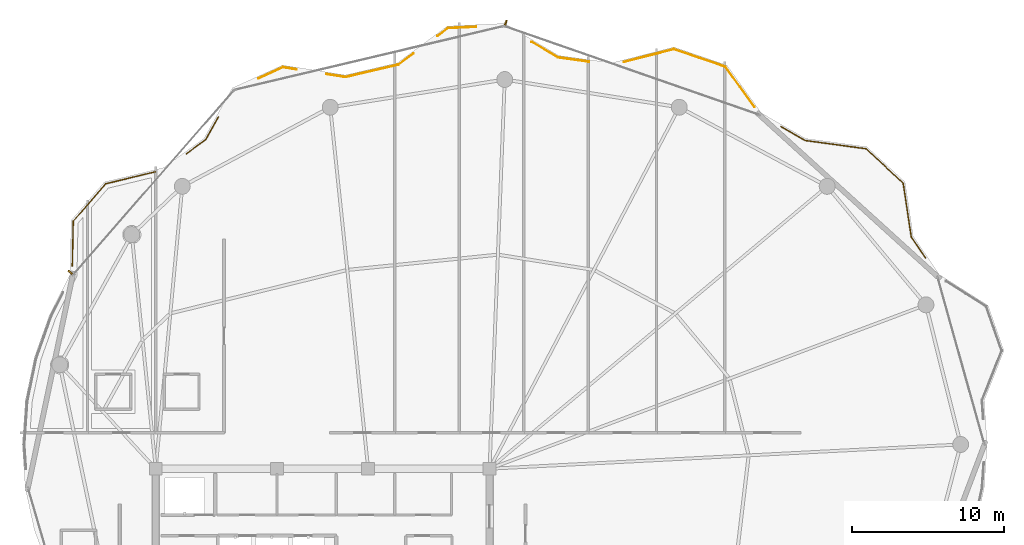
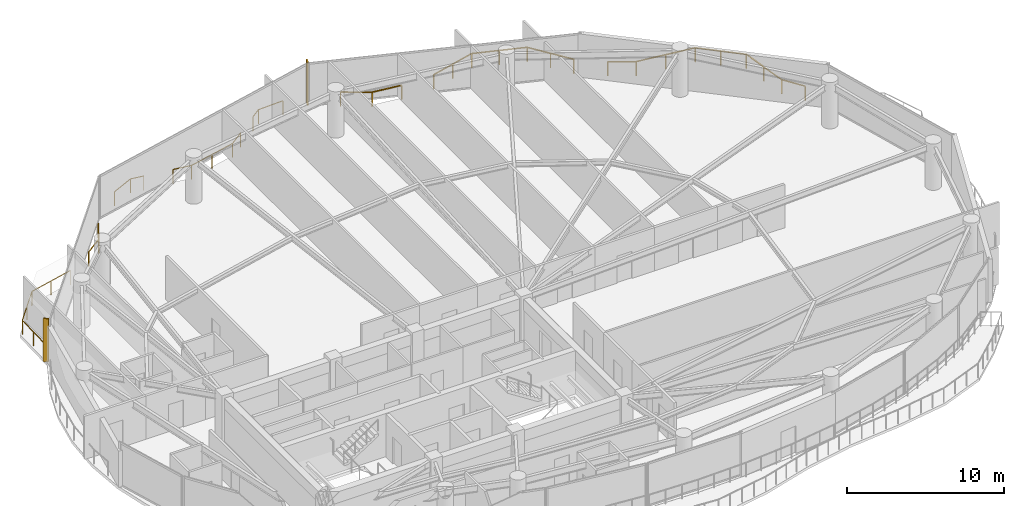
# One storey, part 29 of 29: 8 railings, 2 shading devices.
"""IFC4 building model written with IfcOpenShell, lengths in metres."""

from ifc_helpers import new_model, si_unit, direction, frame, origin, origin_2d, place, context, subcontext, project, spatial, rectangle, extrude, material, type_object, element, save


model = new_model("IFC4")

# Units and contexts
model_context = context("Model", 3, precision=1e-05, world=origin(), true_north=direction((0.0, 1.0)))
body_context = subcontext(model_context, "Body", "Model", "MODEL_VIEW")
ifc_project = project(units=[si_unit("LENGTHUNIT", "METRE"), si_unit("AREAUNIT", "SQUARE_METRE"), si_unit("VOLUMEUNIT", "CUBIC_METRE"), si_unit("PLANEANGLEUNIT", "RADIAN"), si_unit("MASSUNIT", "GRAM", prefix="KILO")], contexts=[model_context])

# Site, building, storey
site_placement = place(None, origin())
site = spatial("IfcSite", under=ifc_project, at=site_placement, CompositionType="ELEMENT")
building_placement = place(site_placement, origin())
building = spatial("IfcBuilding", under=site, at=building_placement, Name="Kazevale Care Tower and Concert Hall", CompositionType="ELEMENT")
storey_placement = place(building_placement, frame((0.0, 0.0, 224.39990234375)))
storey = spatial("IfcBuildingStorey", under=building, at=storey_placement, Name="L59", CompositionType="ELEMENT", Elevation=224.39990234375)

# Railings
ifc_material_1 = material(Name="Anodised Bronze Aluminium and Laminated Glass", Category="aluminium")
railing_type = type_object("IfcRailingType", Name="Balcony and Terrace Balustrade 1120", PredefinedType="BALUSTRADE", material=ifc_material_1)
railing_1_placement = place(storey_placement, frame((16.5009765625, 49.77392578125, 0.0)))
element("IfcRailing", 1, at=railing_1_placement, inside=storey, type_object=railing_type, Name="rail:L59:perim:2", PredefinedType="BALUSTRADE", context=body_context, shape_type="SweptSolid", body=[
    extrude(rectangle(XDim=0.048095703125, YDim=0.048095703125, at=origin_2d()), frame((0.0, 0.0, 1.09619140625), z_axis=(0.020776893953, 0.99978413704, 0.0), x_axis=(-0.99978413704, 0.020776893953, 0.0)), (0.0, 0.0, 1.0), 2.937744140625),
    extrude(rectangle(XDim=0.048095703125, YDim=0.048095703125, at=origin_2d()), frame((0.06103515625, 2.93701171875, 1.09619140625), z_axis=(0.653442230106, 0.75697638795, 0.0), x_axis=(-0.75697638795, 0.653442230106, 0.0)), (0.0, 0.0, 1.0), 3.256591796875),
    extrude(rectangle(XDim=0.048095703125, YDim=0.048095703125, at=origin_2d()), frame((2.18896484375, 5.402099609375, 1.09619140625), z_axis=(0.972048614054, 0.234779666741, 0.0), x_axis=(-0.234779666741, 0.972048614054, 0.0)), (0.0, 0.0, 1.0), 3.373291015625),
    extrude(rectangle(XDim=0.0419921875, YDim=0.0419921875, at=origin_2d()), origin(), (0.0, 0.0, 1.0), 1.072021484375),
    extrude(rectangle(XDim=0.0419921875, YDim=0.0419921875, at=origin_2d()), frame((0.030517578125, 1.468505859375, 0.0)), (0.0, 0.0, 1.0), 1.072021484375),
    extrude(rectangle(XDim=0.0419921875, YDim=0.0419921875, at=origin_2d()), frame((0.06103515625, 2.93701171875, 0.0)), (0.0, 0.0, 1.0), 1.072021484375),
    extrude(rectangle(XDim=0.0419921875, YDim=0.0419921875, at=origin_2d()), frame((1.125, 4.16943359375, 0.0)), (0.0, 0.0, 1.0), 1.072021484375),
    extrude(rectangle(XDim=0.0419921875, YDim=0.0419921875, at=origin_2d()), frame((2.18896484375, 5.402099609375, 0.0)), (0.0, 0.0, 1.0), 1.072021484375),
    extrude(rectangle(XDim=0.0419921875, YDim=0.0419921875, at=origin_2d()), frame((3.82861328125, 5.798095703125, 0.0)), (0.0, 0.0, 1.0), 1.072021484375),
    extrude(rectangle(XDim=0.0419921875, YDim=0.0419921875, at=origin_2d()), frame((5.468017578125, 6.194091796875, 0.0)), (0.0, 0.0, 1.0), 1.072021484375),
])
railing_2_placement = place(storey_placement, frame((24.01708984375, 57.159912109375, 0.0)))
element("IfcRailing", 2, at=railing_2_placement, inside=storey, type_object=railing_type, Name="rail:L59:perim:3", PredefinedType="BALUSTRADE", context=body_context, shape_type="SweptSolid", body=[
    extrude(rectangle(XDim=0.048095703125, YDim=0.048095703125, at=origin_2d()), frame((0.0, 0.0, 1.09619140625), z_axis=(0.809493304449, 0.587129108504, 0.0), x_axis=(-0.587129108504, 0.809493304449, 0.0)), (0.0, 0.0, 1.0), 1.56005859375),
    extrude(rectangle(XDim=0.048095703125, YDim=0.048095703125, at=origin_2d()), frame((1.262939453125, 0.916015625, 1.09619140625), z_axis=(0.490315047546, 0.871545267987, 0.0), x_axis=(-0.871545267987, 0.490315047546, 0.0)), (0.0, 0.0, 1.0), 1.723388671875),
    extrude(rectangle(XDim=0.0419921875, YDim=0.0419921875, at=origin_2d()), origin(), (0.0, 0.0, 1.0), 1.072021484375),
    extrude(rectangle(XDim=0.0419921875, YDim=0.0419921875, at=origin_2d()), frame((1.262939453125, 0.916015625, 0.0)), (0.0, 0.0, 1.0), 1.072021484375),
    extrude(rectangle(XDim=0.0419921875, YDim=0.0419921875, at=origin_2d()), frame((2.10791015625, 2.41796875, 0.0)), (0.0, 0.0, 1.0), 1.072021484375),
])
railing_3_placement = place(storey_placement, frame((28.763916015625, 62.125, 0.0)))
element("IfcRailing", 3, at=railing_3_placement, inside=storey, type_object=railing_type, Name="rail:L59:perim:4", PredefinedType="BALUSTRADE", context=body_context, shape_type="SweptSolid", body=[
    extrude(rectangle(XDim=0.048095703125, YDim=0.048095703125, at=origin_2d()), frame((0.0, 0.0, 1.09619140625), z_axis=(0.91054113019, 0.413418492853, 0.0), x_axis=(-0.413418492853, 0.91054113019, 0.0)), (0.0, 0.0, 1.0), 1.7705078125),
    extrude(rectangle(XDim=0.048095703125, YDim=0.048095703125, at=origin_2d()), frame((1.612060546875, 0.73193359375, 1.09619140625), z_axis=(0.98790083214, -0.155086897758, 0.0), x_axis=(0.155086897758, 0.98790083214, 0.0)), (0.0, 0.0, 1.0), 0.902099609375),
    extrude(rectangle(XDim=0.0419921875, YDim=0.0419921875, at=origin_2d()), origin(), (0.0, 0.0, 1.0), 1.072021484375),
    extrude(rectangle(XDim=0.0419921875, YDim=0.0419921875, at=origin_2d()), frame((1.612060546875, 0.73193359375, 0.0)), (0.0, 0.0, 1.0), 1.072021484375),
    extrude(rectangle(XDim=0.0419921875, YDim=0.0419921875, at=origin_2d()), frame((2.503173828125, 0.592041015625, 0.0)), (0.0, 0.0, 1.0), 1.072021484375),
])
railing_4_placement = place(storey_placement, frame((33.2509765625, 62.406005859375, 0.0)))
element("IfcRailing", 4, at=railing_4_placement, inside=storey, type_object=railing_type, Name="rail:L59:perim:5", PredefinedType="BALUSTRADE", context=body_context, shape_type="SweptSolid", body=[
    extrude(rectangle(XDim=0.048095703125, YDim=0.048095703125, at=origin_2d()), frame((0.0, 0.0, 1.09619140625), z_axis=(0.987942088413, -0.154823867485, 0.0), x_axis=(0.154823867485, 0.987942088413, 0.0)), (0.0, 0.0, 1.0), 1.266357421875),
    extrude(rectangle(XDim=0.048095703125, YDim=0.048095703125, at=origin_2d()), frame((1.2509765625, -0.196044921875, 1.09619140625), z_axis=(0.973807958737, 0.227372072823, 0.0), x_axis=(-0.227372072823, 0.973807958737, 0.0)), (0.0, 0.0, 1.0), 3.57568359375),
    extrude(rectangle(XDim=0.048095703125, YDim=0.048095703125, at=origin_2d()), frame((4.73291015625, 0.616943359375, 1.09619140625), z_axis=(0.805798451747, 0.592189881003, 0.0), x_axis=(-0.592189881003, 0.805798451747, 0.0)), (0.0, 0.0, 1.0), 1.2548828125),
    extrude(rectangle(XDim=0.0419921875, YDim=0.0419921875, at=origin_2d()), origin(), (0.0, 0.0, 1.0), 1.072021484375),
    extrude(rectangle(XDim=0.0419921875, YDim=0.0419921875, at=origin_2d()), frame((1.2509765625, -0.196044921875, 0.0)), (0.0, 0.0, 1.0), 1.072021484375),
    extrude(rectangle(XDim=0.0419921875, YDim=0.0419921875, at=origin_2d()), frame((2.991943359375, 0.21044921875, 0.0)), (0.0, 0.0, 1.0), 1.072021484375),
    extrude(rectangle(XDim=0.0419921875, YDim=0.0419921875, at=origin_2d()), frame((4.73291015625, 0.616943359375, 0.0)), (0.0, 0.0, 1.0), 1.072021484375),
    extrude(rectangle(XDim=0.0419921875, YDim=0.0419921875, at=origin_2d()), frame((5.744140625, 1.360107421875, 0.0)), (0.0, 0.0, 1.0), 1.072021484375),
])
railing_5_placement = place(storey_placement, frame((40.56396484375, 64.9189453125, 0.0)))
element("IfcRailing", 5, at=railing_5_placement, inside=storey, type_object=railing_type, Name="rail:L59:perim:6", PredefinedType="BALUSTRADE", context=body_context, shape_type="SweptSolid", body=[
    extrude(rectangle(XDim=0.048095703125, YDim=0.048095703125, at=origin_2d()), frame((0.0, 0.0, 1.09619140625), z_axis=(0.805713579929, 0.592305349561, 0.0), x_axis=(-0.592305349561, 0.805713579929, 0.0)), (0.0, 0.0, 1.0), 0.876220703125),
    extrude(rectangle(XDim=0.048095703125, YDim=0.048095703125, at=origin_2d()), frame((0.7060546875, 0.51904296875, 1.09619140625), z_axis=(0.998940261438, 0.046025580694, 0.0), x_axis=(-0.046025580694, 0.998940261438, 0.0)), (0.0, 0.0, 1.0), 1.845947265625),
    extrude(rectangle(XDim=0.0419921875, YDim=0.0419921875, at=origin_2d()), origin(), (0.0, 0.0, 1.0), 1.072021484375),
    extrude(rectangle(XDim=0.0419921875, YDim=0.0419921875, at=origin_2d()), frame((0.7060546875, 0.51904296875, 0.0)), (0.0, 0.0, 1.0), 1.072021484375),
    extrude(rectangle(XDim=0.0419921875, YDim=0.0419921875, at=origin_2d()), frame((2.550048828125, 0.60400390625, 0.0)), (0.0, 0.0, 1.0), 1.072021484375),
])
railing_6_placement = place(storey_placement, frame((46.783935546875, 64.529052734375, 0.0)))
element("IfcRailing", 6, at=railing_6_placement, inside=storey, type_object=railing_type, Name="rail:L59:perim:7", PredefinedType="BALUSTRADE", context=body_context, shape_type="SweptSolid", body=[
    extrude(rectangle(XDim=0.048095703125, YDim=0.048095703125, at=origin_2d()), frame((0.0, 0.0, 1.09619140625), z_axis=(0.859958006391, -0.510364798202, 0.0), x_axis=(0.510364798202, 0.859958006391, 0.0)), (0.0, 0.0, 1.0), 2.010498046875),
    extrude(rectangle(XDim=0.048095703125, YDim=0.048095703125, at=origin_2d()), frame((1.72900390625, -1.026123046875, 1.09619140625), z_axis=(0.990617777662, -0.136661693898, 0.0), x_axis=(0.136661693898, 0.990617777662, 0.0)), (0.0, 0.0, 1.0), 2.0400390625),
    extrude(rectangle(XDim=0.0419921875, YDim=0.0419921875, at=origin_2d()), origin(), (0.0, 0.0, 1.0), 1.072021484375),
    extrude(rectangle(XDim=0.0419921875, YDim=0.0419921875, at=origin_2d()), frame((1.72900390625, -1.026123046875, 0.0)), (0.0, 0.0, 1.0), 1.072021484375),
    extrude(rectangle(XDim=0.0419921875, YDim=0.0419921875, at=origin_2d()), frame((3.75, -1.304931640625, 0.0)), (0.0, 0.0, 1.0), 1.072021484375),
])
railing_7_placement = place(storey_placement, frame((52.8779296875, 63.212890625, 0.0)))
element("IfcRailing", 7, at=railing_7_placement, inside=storey, type_object=railing_type, Name="rail:L59:perim:8", PredefinedType="BALUSTRADE", context=body_context, shape_type="SweptSolid", body=[
    extrude(rectangle(XDim=0.048095703125, YDim=0.048095703125, at=origin_2d()), frame((0.0, 0.0, 1.09619140625), z_axis=(0.968841143246, 0.24768294078, 0.0), x_axis=(-0.24768294078, 0.968841143246, 0.0)), (0.0, 0.0, 1.0), 3.3681640625),
    extrude(rectangle(XDim=0.048095703125, YDim=0.048095703125, at=origin_2d()), frame((3.26318359375, 0.834228515625, 1.09619140625), z_axis=(0.946598937376, -0.322413479492, 0.0), x_axis=(0.322413479492, 0.946598937376, 0.0)), (0.0, 0.0, 1.0), 3.607421875),
    extrude(rectangle(XDim=0.048095703125, YDim=0.048095703125, at=origin_2d()), frame((6.677978515625, -0.328857421875, 1.09619140625), z_axis=(0.584785546416, -0.811187934269, 0.0), x_axis=(0.811187934269, 0.584785546416, 0.0)), (0.0, 0.0, 1.0), 3.26318359375),
    extrude(rectangle(XDim=0.0419921875, YDim=0.0419921875, at=origin_2d()), origin(), (0.0, 0.0, 1.0), 1.072021484375),
    extrude(rectangle(XDim=0.0419921875, YDim=0.0419921875, at=origin_2d()), frame((1.631591796875, 0.4169921875, 0.0)), (0.0, 0.0, 1.0), 1.072021484375),
    extrude(rectangle(XDim=0.0419921875, YDim=0.0419921875, at=origin_2d()), frame((3.26318359375, 0.834228515625, 0.0)), (0.0, 0.0, 1.0), 1.072021484375),
    extrude(rectangle(XDim=0.0419921875, YDim=0.0419921875, at=origin_2d()), frame((4.970703125, 0.252685546875, 0.0)), (0.0, 0.0, 1.0), 1.072021484375),
    extrude(rectangle(XDim=0.0419921875, YDim=0.0419921875, at=origin_2d()), frame((6.677978515625, -0.328857421875, 0.0)), (0.0, 0.0, 1.0), 1.072021484375),
    extrude(rectangle(XDim=0.0419921875, YDim=0.0419921875, at=origin_2d()), frame((7.632080078125, -1.65234375, 0.0)), (0.0, 0.0, 1.0), 1.072021484375),
    extrude(rectangle(XDim=0.0419921875, YDim=0.0419921875, at=origin_2d()), frame((8.586181640625, -2.975830078125, 0.0)), (0.0, 0.0, 1.0), 1.072021484375),
])
railing_8_placement = place(storey_placement, frame((63.200927734375, 58.946044921875, 0.0)))
element("IfcRailing", 8, at=railing_8_placement, inside=storey, type_object=railing_type, Name="rail:L59:perim:9", PredefinedType="BALUSTRADE", context=body_context, shape_type="SweptSolid", body=[
    extrude(rectangle(XDim=0.048095703125, YDim=0.048095703125, at=origin_2d()), frame((0.0, 0.0, 1.09619140625), z_axis=(0.866524193864, -0.49913507335, 0.0), x_axis=(0.49913507335, 0.866524193864, 0.0)), (0.0, 0.0, 1.0), 1.823486328125),
    extrude(rectangle(XDim=0.048095703125, YDim=0.048095703125, at=origin_2d()), frame((1.580078125, -0.91015625, 1.09619140625), z_axis=(0.990877699691, -0.134764180164, 0.0), x_axis=(0.134764180164, 0.990877699691, 0.0)), (0.0, 0.0, 1.0), 4.05810546875),
    extrude(rectangle(XDim=0.048095703125, YDim=0.048095703125, at=origin_2d()), frame((5.60107421875, -1.45703125, 1.09619140625), z_axis=(0.73603461898, -0.676943896983, 0.0), x_axis=(0.676943896983, 0.73603461898, 0.0)), (0.0, 0.0, 1.0), 3.334228515625),
    extrude(rectangle(XDim=0.048095703125, YDim=0.048095703125, at=origin_2d()), frame((8.05517578125, -3.714111328125, 1.09619140625), z_axis=(0.148940997459, -0.988846084725, 0.0), x_axis=(0.988846084725, 0.148940997459, 0.0)), (0.0, 0.0, 1.0), 3.597900390625),
    extrude(rectangle(XDim=0.048095703125, YDim=0.048095703125, at=origin_2d()), frame((8.591064453125, -7.27197265625, 1.09619140625), z_axis=(0.562761257822, -0.826619481197, 0.0), x_axis=(0.826619481197, 0.562761257822, 0.0)), (0.0, 0.0, 1.0), 1.671875),
    extrude(rectangle(XDim=0.0419921875, YDim=0.0419921875, at=origin_2d()), origin(), (0.0, 0.0, 1.0), 1.072021484375),
    extrude(rectangle(XDim=0.0419921875, YDim=0.0419921875, at=origin_2d()), frame((1.580078125, -0.91015625, 0.0)), (0.0, 0.0, 1.0), 1.072021484375),
    extrude(rectangle(XDim=0.0419921875, YDim=0.0419921875, at=origin_2d()), frame((3.590576171875, -1.18359375, 0.0)), (0.0, 0.0, 1.0), 1.072021484375),
    extrude(rectangle(XDim=0.0419921875, YDim=0.0419921875, at=origin_2d()), frame((5.60107421875, -1.45703125, 0.0)), (0.0, 0.0, 1.0), 1.072021484375),
    extrude(rectangle(XDim=0.0419921875, YDim=0.0419921875, at=origin_2d()), frame((6.828125, -2.58544921875, 0.0)), (0.0, 0.0, 1.0), 1.072021484375),
    extrude(rectangle(XDim=0.0419921875, YDim=0.0419921875, at=origin_2d()), frame((8.05517578125, -3.714111328125, 0.0)), (0.0, 0.0, 1.0), 1.072021484375),
    extrude(rectangle(XDim=0.0419921875, YDim=0.0419921875, at=origin_2d()), frame((8.3232421875, -5.4931640625, 0.0)), (0.0, 0.0, 1.0), 1.072021484375),
    extrude(rectangle(XDim=0.0419921875, YDim=0.0419921875, at=origin_2d()), frame((8.591064453125, -7.27197265625, 0.0)), (0.0, 0.0, 1.0), 1.072021484375),
    extrude(rectangle(XDim=0.0419921875, YDim=0.0419921875, at=origin_2d()), frame((9.531982421875, -8.654052734375, 0.0)), (0.0, 0.0, 1.0), 1.072021484375),
])

# Shading devices
ifc_material_2 = material(Name="Anodised Bronze Aluminium", Category="aluminium")
shading_device_type = type_object("IfcShadingDeviceType", Name="Waist Anodised Bronze-Stone Fin FIN-02", PredefinedType="USERDEFINED", material=ifc_material_2)
for number, where, z_axis, x_axis, name in (
    (9, (16.361328125, 49.347412109375, 0.0), (0.0, 0.0, 1.0), (-0.753792813636, 0.657112162503, 0.0), "cw:L59:f14:fin"),
    (10, (45.075927734375, 65.796630859375, 0.0), (0.0, 0.0, 1.0), (0.328536977169, 0.944491108816, 0.0), "cw:L59:f16:fin"),
):
    element("IfcShadingDevice", number, at=place(storey_placement, frame(where, z_axis=z_axis, x_axis=x_axis)), inside=storey, type_object=shading_device_type, Name=name, ObjectType="FIN", PredefinedType="USERDEFINED", context=body_context, shape_type="SweptSolid", body=[
        extrude(rectangle(XDim=0.340087890625, YDim=0.10009765625, at=origin_2d()), origin(), (0.0, 0.0, 1.0), 3.360107421875),
    ])

save(model, "model.ifc")
